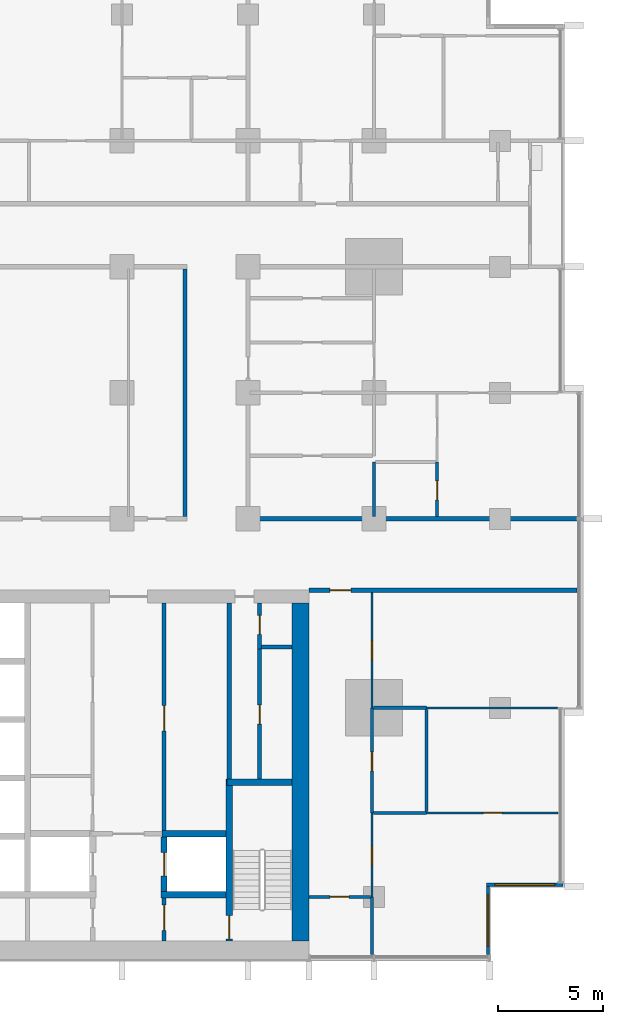
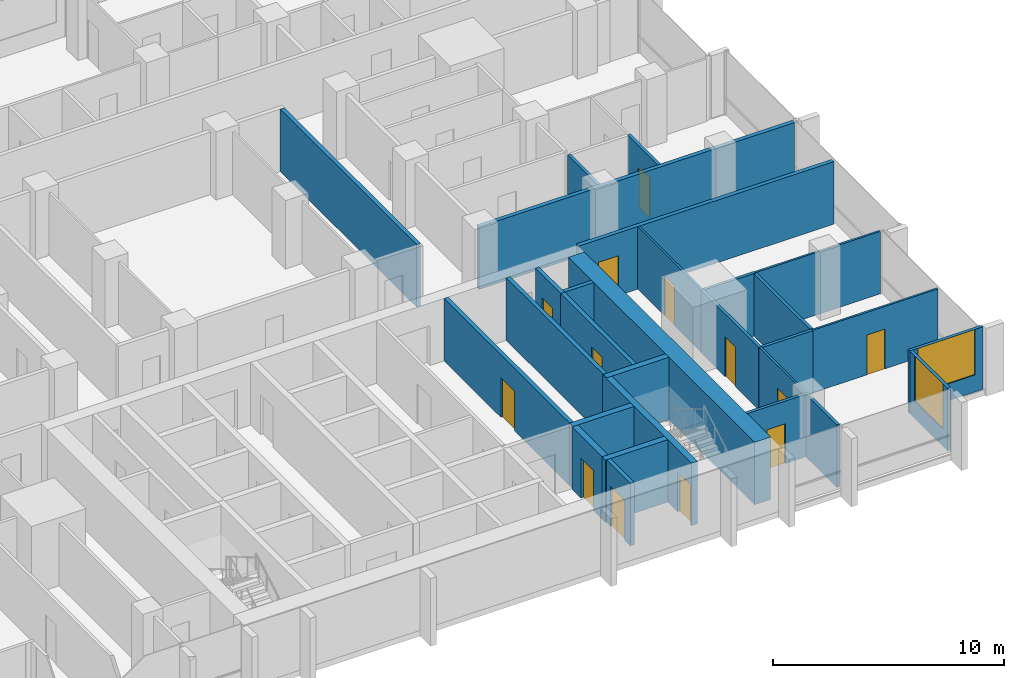
# One storey, part 9 of 17: 29 walls, 13 doors, 2 windows, 15 openings.
"""IFC4 building model written with IfcOpenShell, lengths in metres."""

from ifc_helpers import new_model, si_unit, direction, frame, frame_2d, origin, place, context, subcontext, project, spatial, rectangle, extrude, material, layer, layer_set, type_object, element, fill, save


model = new_model("IFC4")

# Units and contexts
model_context = context("Model", 3, precision=1e-05, world=origin(), true_north=direction((0.0, 1.0)))
body_context = subcontext(model_context, "Body", "Model", "MODEL_VIEW")
ifc_project = project(units=[si_unit("LENGTHUNIT", "METRE"), si_unit("AREAUNIT", "SQUARE_METRE"), si_unit("VOLUMEUNIT", "CUBIC_METRE"), si_unit("PLANEANGLEUNIT", "RADIAN"), si_unit("MASSUNIT", "GRAM", prefix="KILO")], contexts=[model_context])

# Site, building, storey
site_placement = place(None, origin())
site = spatial("IfcSite", under=ifc_project, at=site_placement, CompositionType="ELEMENT")
building_placement = place(site_placement, origin())
building = spatial("IfcBuilding", under=site, at=building_placement, Name="Finial Court Residences", CompositionType="ELEMENT")
storey_placement = place(building_placement, frame((0.0, 0.0, 91.89990234375)))
storey = spatial("IfcBuildingStorey", under=building, at=storey_placement, Name="L22", CompositionType="ELEMENT", Elevation=91.89990234375)

# Wall
ifc_material_1 = material(Name="Concrete C70/85", Category="concrete")
ifc_layer_1 = layer(ifc_material_1, 0.800048828125)
ifc_layer_set_1 = layer_set([ifc_layer_1], Name="Core outer wall 800 Concrete C70/85")
wall_type_1 = type_object("IfcWallType", Name="Core outer wall 800 Concrete C70/85", PredefinedType="SHEAR", material=ifc_layer_set_1)
wall_1_placement = place(storey_placement, frame((13.0, -24.60009765625, 0.0), z_axis=(0.0, 0.0, 1.0), x_axis=(0.0, 1.0, 0.0)))
element("IfcWall", 1, at=wall_1_placement, inside=storey, type_object=wall_type_1, Name="Core outer wall L22-04", PredefinedType="SHEAR", context=body_context, shape_type="SweptSolid", body=[
    extrude(rectangle(XDim=16.10009765625, YDim=0.800048828125, at=frame_2d((8.050048828125, 0.0))), origin(), (0.0, 0.0, 1.0), 3.300048828125),
])

# Wall, opening, door
ifc_material_2 = material(Name="Gypsum board")
ifc_layer_2 = layer(ifc_material_2, 0.02490234375)
ifc_material_3 = material(Name="Acoustic mineral wool in double frame")
ifc_layer_3 = layer(ifc_material_3, 0.14990234375)
ifc_layer_4 = layer(ifc_material_2, 0.02490234375)
ifc_layer_set_2 = layer_set([ifc_layer_2, ifc_layer_3, ifc_layer_4], Name="Corridor wall 200, 1 hour")
wall_type_2 = type_object("IfcWallType", Name="Corridor wall 200, 1 hour", PredefinedType="PARTITIONING", material=ifc_layer_set_2)
wall_2_placement = place(storey_placement, frame((13.39990234375, -7.89990234375, 0.0), z_axis=(0.0, 0.0, 1.0), x_axis=(1.0, 0.0, 0.0)))
wall_2 = element("IfcWall", 2, at=wall_2_placement, inside=storey, type_object=wall_type_2, Name="Partition L22-009", PredefinedType="PARTITIONING", context=body_context, shape_type="SweptSolid", body=[
    extrude(rectangle(XDim=12.75, YDim=0.199951171875, at=frame_2d((6.375, 0.0))), origin(), (0.0, 0.0, 1.0), 3.300048828125),
])
opening_1_placement = place(wall_2_placement, frame((1.0, 0.0, 0.0)))
opening_1 = element("IfcOpeningElement", 3, at=opening_1_placement, cuts=wall_2, Name="Opening L22-D006", PredefinedType="OPENING", context=body_context, shape_type="SweptSolid", body=[
    extrude(rectangle(XDim=1.0, YDim=2.10009765625, at=frame_2d((0.5, 1.050048828125))), frame((0.0, 0.10986328125, 0.0), z_axis=(0.0, -1.0, 0.0), x_axis=(1.0, 0.0, 0.0)), (0.0, 0.0, 1.0), 0.219970703125),
])
ifc_material_4 = material(Name="Timber door leaf in hollow metal frame", Category="wood")
door_type_1 = type_object("IfcDoorType", Name="Fire door set 1000 x 2100, 30 minutes", OperationType="SINGLE_SWING_LEFT", PredefinedType="DOOR", material=ifc_material_4)
door_1_placement = place(opening_1_placement, origin())
door_1 = element("IfcDoor", 4, at=door_1_placement, inside=storey, type_object=door_type_1, Name="Door L22-D006", OperationType="SINGLE_SWING_LEFT", OverallHeight=2.10009765625, OverallWidth=1.0, PredefinedType="DOOR", context=body_context, shape_type="SweptSolid", body=[
    extrude(rectangle(XDim=1.0, YDim=2.10009765625, at=frame_2d((0.5, 1.050048828125))), frame((0.0, 0.02490234375, 0.0), z_axis=(0.0, -1.0, 0.0), x_axis=(1.0, 0.0, 0.0)), (0.0, 0.0, 1.0), 0.050048828125),
])
fill(opening_1, door_1)

# Walls
wall_3_placement = place(storey_placement, frame((10.39990234375, -4.5, 0.0), z_axis=(0.0, 0.0, 1.0), x_axis=(1.0, 0.0, 0.0)))
element("IfcWall", 5, at=wall_3_placement, inside=storey, type_object=wall_type_2, Name="Partition L22-012", PredefinedType="PARTITIONING", context=body_context, shape_type="SweptSolid", body=[
    extrude(rectangle(XDim=15.75, YDim=0.199951171875, at=frame_2d((7.875, 0.0))), origin(), (0.0, 0.0, 1.0), 3.300048828125),
])
wall_4_placement = place(storey_placement, frame((7.5, -4.39990234375, 0.0), z_axis=(0.0, 0.0, 1.0), x_axis=(0.0, 1.0, 0.0)))
element("IfcWall", 6, at=wall_4_placement, inside=storey, type_object=wall_type_2, Name="Partition L22-059", PredefinedType="PARTITIONING", context=body_context, shape_type="SweptSolid", body=[
    extrude(rectangle(XDim=11.7998046875, YDim=0.199951171875, at=frame_2d((5.89990234375, 0.0))), origin(), (0.0, 0.0, 1.0), 3.300048828125),
])

# Wall, opening, door
ifc_material_5 = material(Name="Fire-rated gypsum board partition")
ifc_layer_5 = layer(ifc_material_5, 0.199951171875)
ifc_layer_set_3 = layer_set([ifc_layer_5], Name="Firefighting lobby wall 200 EI 120")
wall_type_3 = type_object("IfcWallType", Name="Firefighting lobby wall 200 EI 120", PredefinedType="PARTITIONING", material=ifc_layer_set_3)
wall_5_placement = place(storey_placement, frame((6.5, -22.550048828125, 0.0), z_axis=(0.0, 0.0, 1.0), x_axis=(0.0, -1.0, 0.0)))
wall_5 = element("IfcWall", 7, at=wall_5_placement, inside=storey, type_object=wall_type_3, Name="Core partition L22-32", PredefinedType="PARTITIONING", context=body_context, shape_type="SweptSolid", body=[
    extrude(rectangle(XDim=2.050048828125, YDim=0.199951171875, at=frame_2d((1.02490234375, 0.0))), origin(), (0.0, 0.0, 1.0), 3.300048828125),
])
opening_2_placement = place(wall_5_placement, frame((0.35009765625, 0.0, 0.0)))
opening_2 = element("IfcOpeningElement", 8, at=opening_2_placement, cuts=wall_5, Name="Opening L22-C01", PredefinedType="OPENING", context=body_context, shape_type="SweptSolid", body=[
    extrude(rectangle(XDim=1.199951171875, YDim=2.10009765625, at=frame_2d((0.60009765625, 1.050048828125))), frame((0.0, 0.10986328125, 0.0), z_axis=(0.0, -1.0, 0.0), x_axis=(1.0, 0.0, 0.0)), (0.0, 0.0, 1.0), 0.219970703125),
])
ifc_material_6 = material(Name="Steel fire door", Category="steel")
door_type_2 = type_object("IfcDoorType", Name="Firefighting lobby door 1200 x 2100 EI 90", OperationType="NOTDEFINED", PredefinedType="DOOR", material=ifc_material_6)
door_2_placement = place(opening_2_placement, origin())
door_2 = element("IfcDoor", 9, at=door_2_placement, inside=storey, type_object=door_type_2, Name="Firefighting lobby door L22-C01", OperationType="SINGLE_SWING_RIGHT", OverallHeight=2.10009765625, OverallWidth=1.199951171875, PredefinedType="DOOR", context=body_context, shape_type="SweptSolid", body=[
    extrude(rectangle(XDim=1.199951171875, YDim=2.10009765625, at=frame_2d((0.60009765625, 1.050048828125))), frame((0.0, 0.02490234375, 0.0), z_axis=(0.0, -1.0, 0.0), x_axis=(1.0, 0.0, 0.0)), (0.0, 0.0, 1.0), 0.050048828125),
])
fill(opening_2, door_2)

ifc_layer_6 = layer(ifc_material_2, 0.012451171875)
ifc_material_7 = material(Name="Mineral wool in light-gauge frame")
ifc_layer_7 = layer(ifc_material_7, 0.074951171875)
ifc_layer_8 = layer(ifc_material_2, 0.012451171875)
ifc_layer_set_4 = layer_set([ifc_layer_6, ifc_layer_7, ifc_layer_8], Name="Gypsum board partition 100")
wall_type_4 = type_object("IfcWallType", Name="Gypsum board partition 100", PredefinedType="PARTITIONING", material=ifc_layer_set_4)
wall_6_placement = place(storey_placement, frame((19.0, -18.5, 0.0), z_axis=(0.0, 0.0, 1.0), x_axis=(1.0, 0.0, 0.0)))
wall_6 = element("IfcWall", 10, at=wall_6_placement, inside=storey, type_object=wall_type_4, Name="Partition L22-002", PredefinedType="PARTITIONING", context=body_context, shape_type="SweptSolid", body=[
    extrude(rectangle(XDim=6.25, YDim=0.10009765625, at=frame_2d((3.125, 0.0))), origin(), (0.0, 0.0, 1.0), 3.300048828125),
])
opening_3_placement = place(wall_6_placement, frame((2.699951171875, 0.0, 0.0)))
opening_3 = element("IfcOpeningElement", 11, at=opening_3_placement, cuts=wall_6, Name="Opening L22-D003", PredefinedType="OPENING", context=body_context, shape_type="SweptSolid", body=[
    extrude(rectangle(XDim=0.89990234375, YDim=2.10009765625, at=frame_2d((0.449951171875, 1.050048828125))), frame((0.0, 0.06005859375, 0.0), z_axis=(0.0, -1.0, 0.0), x_axis=(1.0, 0.0, 0.0)), (0.0, 0.0, 1.0), 0.1201171875),
])
ifc_material_8 = material(Name="Timber door leaf in timber frame", Category="wood")
door_type_3 = type_object("IfcDoorType", Name="Door set 900 x 2100", OperationType="SINGLE_SWING_LEFT", PredefinedType="DOOR", material=ifc_material_8)
door_3_placement = place(opening_3_placement, origin())
door_3 = element("IfcDoor", 12, at=door_3_placement, inside=storey, type_object=door_type_3, Name="Door L22-D003", OperationType="SINGLE_SWING_RIGHT", OverallHeight=2.10009765625, OverallWidth=0.89990234375, PredefinedType="DOOR", context=body_context, shape_type="SweptSolid", body=[
    extrude(rectangle(XDim=0.89990234375, YDim=2.10009765625, at=frame_2d((0.449951171875, 1.050048828125))), frame((0.0, 0.02490234375, 0.0), z_axis=(0.0, -1.0, 0.0), x_axis=(1.0, 0.0, 0.0)), (0.0, 0.0, 1.0), 0.050048828125),
])
fill(opening_3, door_3)

# Wall
wall_7_placement = place(storey_placement, frame((19.0, -13.5, 0.0), z_axis=(0.0, 0.0, 1.0), x_axis=(1.0, 0.0, 0.0)))
element("IfcWall", 13, at=wall_7_placement, inside=storey, type_object=wall_type_4, Name="Partition L22-005", PredefinedType="PARTITIONING", context=body_context, shape_type="SweptSolid", body=[
    extrude(rectangle(XDim=6.25, YDim=0.10009765625, at=frame_2d((3.125, 0.0))), origin(), (0.0, 0.0, 1.0), 3.300048828125),
])

# Wall, opening, door
wall_8_placement = place(storey_placement, frame((16.39990234375, -22.5, 0.0), z_axis=(0.0, 0.0, 1.0), x_axis=(0.0, 1.0, 0.0)))
wall_8 = element("IfcWall", 14, at=wall_8_placement, inside=storey, type_object=wall_type_4, Name="Partition L22-066", PredefinedType="PARTITIONING", context=body_context, shape_type="SweptSolid", body=[
    extrude(rectangle(XDim=4.0, YDim=0.10009765625, at=frame_2d((2.0, 0.0))), origin(), (0.0, 0.0, 1.0), 3.300048828125),
])
opening_4_placement = place(wall_8_placement, frame((1.5, 0.0, 0.0)))
opening_4 = element("IfcOpeningElement", 15, at=opening_4_placement, cuts=wall_8, Name="Opening L22-D044", PredefinedType="OPENING", context=body_context, shape_type="SweptSolid", body=[
    extrude(rectangle(XDim=0.89990234375, YDim=2.10009765625, at=frame_2d((0.449951171875, 1.050048828125))), frame((0.0, 0.06005859375, 0.0), z_axis=(0.0, -1.0, 0.0), x_axis=(1.0, 0.0, 0.0)), (0.0, 0.0, 1.0), 0.1201171875),
])
door_4_placement = place(opening_4_placement, origin())
door_4 = element("IfcDoor", 16, at=door_4_placement, inside=storey, type_object=door_type_3, Name="Door L22-D044", OperationType="SINGLE_SWING_LEFT", OverallHeight=2.10009765625, OverallWidth=0.89990234375, PredefinedType="DOOR", context=body_context, shape_type="SweptSolid", body=[
    extrude(rectangle(XDim=0.89990234375, YDim=2.10009765625, at=frame_2d((0.449951171875, 1.050048828125))), frame((0.0, 0.02490234375, 0.0), z_axis=(0.0, -1.0, 0.0), x_axis=(1.0, 0.0, 0.0)), (0.0, 0.0, 1.0), 0.050048828125),
])
fill(opening_4, door_4)

wall_9_placement = place(storey_placement, frame((16.39990234375, -13.5, 0.0), z_axis=(0.0, 0.0, 1.0), x_axis=(0.0, 1.0, 0.0)))
wall_9 = element("IfcWall", 17, at=wall_9_placement, inside=storey, type_object=wall_type_4, Name="Partition L22-067", PredefinedType="PARTITIONING", context=body_context, shape_type="SweptSolid", body=[
    extrude(rectangle(XDim=5.5, YDim=0.10009765625, at=frame_2d((2.75, 0.0))), origin(), (0.0, 0.0, 1.0), 3.300048828125),
])
opening_5_placement = place(wall_9_placement, frame((2.300048828125, 0.0, 0.0)))
opening_5 = element("IfcOpeningElement", 18, at=opening_5_placement, cuts=wall_9, Name="Opening L22-D045", PredefinedType="OPENING", context=body_context, shape_type="SweptSolid", body=[
    extrude(rectangle(XDim=0.89990234375, YDim=2.10009765625, at=frame_2d((0.449951171875, 1.050048828125))), frame((0.0, 0.06005859375, 0.0), z_axis=(0.0, -1.0, 0.0), x_axis=(1.0, 0.0, 0.0)), (0.0, 0.0, 1.0), 0.1201171875),
])
door_5_placement = place(opening_5_placement, origin())
door_5 = element("IfcDoor", 19, at=door_5_placement, inside=storey, type_object=door_type_3, Name="Door L22-D045", OperationType="SINGLE_SWING_RIGHT", OverallHeight=2.10009765625, OverallWidth=0.89990234375, PredefinedType="DOOR", context=body_context, shape_type="SweptSolid", body=[
    extrude(rectangle(XDim=0.89990234375, YDim=2.10009765625, at=frame_2d((0.449951171875, 1.050048828125))), frame((0.0, 0.02490234375, 0.0), z_axis=(0.0, -1.0, 0.0), x_axis=(1.0, 0.0, 0.0)), (0.0, 0.0, 1.0), 0.050048828125),
])
fill(opening_5, door_5)

ifc_material_9 = material(Name="Moisture-resistant gypsum board")
ifc_layer_9 = layer(ifc_material_9, 0.012451171875)
ifc_layer_10 = layer(ifc_material_7, 0.125)
ifc_layer_11 = layer(ifc_material_9, 0.012451171875)
ifc_layer_set_5 = layer_set([ifc_layer_9, ifc_layer_10, ifc_layer_11], Name="Gypsum board wet-area partition 150")
wall_type_5 = type_object("IfcWallType", Name="Gypsum board wet-area partition 150", PredefinedType="PARTITIONING", material=ifc_layer_set_5)
wall_10_placement = place(storey_placement, frame((13.39990234375, -22.5, 0.0), z_axis=(0.0, 0.0, 1.0), x_axis=(1.0, 0.0, 0.0)))
wall_10 = element("IfcWall", 20, at=wall_10_placement, inside=storey, type_object=wall_type_5, Name="Partition L22-001", PredefinedType="PARTITIONING", context=body_context, shape_type="SweptSolid", body=[
    extrude(rectangle(XDim=2.925048828125, YDim=0.14990234375, at=frame_2d((1.46240234375, 0.0))), origin(), (0.0, 0.0, 1.0), 3.300048828125),
])
opening_6_placement = place(wall_10_placement, frame((1.0, 0.0, 0.0)))
opening_6 = element("IfcOpeningElement", 21, at=opening_6_placement, cuts=wall_10, Name="Opening L22-D002", PredefinedType="OPENING", context=body_context, shape_type="SweptSolid", body=[
    extrude(rectangle(XDim=0.89990234375, YDim=2.10009765625, at=frame_2d((0.449951171875, 1.050048828125))), frame((0.0, 0.0849609375, 0.0), z_axis=(0.0, -1.0, 0.0), x_axis=(1.0, 0.0, 0.0)), (0.0, 0.0, 1.0), 0.169921875),
])
door_6_placement = place(opening_6_placement, origin())
door_6 = element("IfcDoor", 22, at=door_6_placement, inside=storey, type_object=door_type_3, Name="Door L22-D002", OperationType="SINGLE_SWING_RIGHT", OverallHeight=2.10009765625, OverallWidth=0.89990234375, PredefinedType="DOOR", context=body_context, shape_type="SweptSolid", body=[
    extrude(rectangle(XDim=0.89990234375, YDim=2.10009765625, at=frame_2d((0.449951171875, 1.050048828125))), frame((0.0, 0.02490234375, 0.0), z_axis=(0.0, -1.0, 0.0), x_axis=(1.0, 0.0, 0.0)), (0.0, 0.0, 1.0), 0.050048828125),
])
fill(opening_6, door_6)

# Walls
for number, where, z_axis, x_axis, name in (
    (23, (16.47509765625, -18.5, 0.0), (0.0, 0.0, 1.0), (1.0, 0.0, 0.0), "Partition L22-003"),
    (24, (16.47509765625, -13.5, 0.0), (0.0, 0.0, 1.0), (1.0, 0.0, 0.0), "Partition L22-007"),
):
    element("IfcWall", number, at=place(storey_placement, frame(where, z_axis=z_axis, x_axis=x_axis)), inside=storey, type_object=wall_type_5, Name=name, PredefinedType="PARTITIONING", context=body_context, shape_type="SweptSolid", body=[
        extrude(rectangle(XDim=2.52490234375, YDim=0.14990234375, at=frame_2d((1.262451171875, 0.0))), origin(), (0.0, 0.0, 1.0), 3.300048828125),
    ])
wall_11_placement = place(storey_placement, frame((16.39990234375, -25.25, 0.0), z_axis=(0.0, 0.0, 1.0), x_axis=(0.0, 1.0, 0.0)))
element("IfcWall", 25, at=wall_11_placement, inside=storey, type_object=wall_type_5, Name="Partition L22-068", PredefinedType="PARTITIONING", context=body_context, shape_type="SweptSolid", body=[
    extrude(rectangle(XDim=2.75, YDim=0.14990234375, at=frame_2d((1.375, 0.0))), origin(), (0.0, 0.0, 1.0), 3.300048828125),
])

# Wall, opening, door
wall_12_placement = place(storey_placement, frame((16.39990234375, -18.5, 0.0), z_axis=(0.0, 0.0, 1.0), x_axis=(0.0, 1.0, 0.0)))
wall_12 = element("IfcWall", 26, at=wall_12_placement, inside=storey, type_object=wall_type_5, Name="Partition L22-069", PredefinedType="PARTITIONING", context=body_context, shape_type="SweptSolid", body=[
    extrude(rectangle(XDim=5.0, YDim=0.14990234375, at=frame_2d((2.5, 0.0))), origin(), (0.0, 0.0, 1.0), 3.300048828125),
])
opening_7_placement = place(wall_12_placement, frame((2.0, 0.0, 0.0)))
opening_7 = element("IfcOpeningElement", 27, at=opening_7_placement, cuts=wall_12, Name="Opening L22-D046", PredefinedType="OPENING", context=body_context, shape_type="SweptSolid", body=[
    extrude(rectangle(XDim=0.89990234375, YDim=2.10009765625, at=frame_2d((0.449951171875, 1.050048828125))), frame((0.0, 0.0849609375, 0.0), z_axis=(0.0, -1.0, 0.0), x_axis=(1.0, 0.0, 0.0)), (0.0, 0.0, 1.0), 0.169921875),
])
door_7_placement = place(opening_7_placement, origin())
door_7 = element("IfcDoor", 28, at=door_7_placement, inside=storey, type_object=door_type_3, Name="Door L22-D046", OperationType="SINGLE_SWING_RIGHT", OverallHeight=2.10009765625, OverallWidth=0.89990234375, PredefinedType="DOOR", context=body_context, shape_type="SweptSolid", body=[
    extrude(rectangle(XDim=0.89990234375, YDim=2.10009765625, at=frame_2d((0.449951171875, 1.050048828125))), frame((0.0, 0.02490234375, 0.0), z_axis=(0.0, -1.0, 0.0), x_axis=(1.0, 0.0, 0.0)), (0.0, 0.0, 1.0), 0.050048828125),
])
fill(opening_7, door_7)

# Walls
wall_13_placement = place(storey_placement, frame((16.5, -4.39990234375, 0.0), z_axis=(0.0, 0.0, 1.0), x_axis=(0.0, 1.0, 0.0)))
element("IfcWall", 29, at=wall_13_placement, inside=storey, type_object=wall_type_5, Name="Partition L22-072", PredefinedType="PARTITIONING", context=body_context, shape_type="SweptSolid", body=[
    extrude(rectangle(XDim=2.599853515625, YDim=0.14990234375, at=frame_2d((1.2998046875, 0.0))), origin(), (0.0, 0.0, 1.0), 3.300048828125),
])
wall_14_placement = place(storey_placement, frame((19.0, -18.425048828125, 0.0), z_axis=(0.0, 0.0, 1.0), x_axis=(0.0, 1.0, 0.0)))
element("IfcWall", 30, at=wall_14_placement, inside=storey, type_object=wall_type_5, Name="Partition L22-076", PredefinedType="PARTITIONING", context=body_context, shape_type="SweptSolid", body=[
    extrude(rectangle(XDim=4.85009765625, YDim=0.14990234375, at=frame_2d((2.425048828125, 0.0))), origin(), (0.0, 0.0, 1.0), 3.300048828125),
])

# Wall, opening, door
wall_15_placement = place(storey_placement, frame((19.5, -4.39990234375, 0.0), z_axis=(0.0, 0.0, 1.0), x_axis=(0.0, 1.0, 0.0)))
wall_15 = element("IfcWall", 31, at=wall_15_placement, inside=storey, type_object=wall_type_5, Name="Partition L22-078", PredefinedType="PARTITIONING", context=body_context, shape_type="SweptSolid", body=[
    extrude(rectangle(XDim=2.599853515625, YDim=0.14990234375, at=frame_2d((1.2998046875, 0.0))), origin(), (0.0, 0.0, 1.0), 3.300048828125),
])
opening_8_placement = place(wall_15_placement, frame((0.800048828125, 0.0, 0.0)))
opening_8 = element("IfcOpeningElement", 32, at=opening_8_placement, cuts=wall_15, Name="Opening L22-D050", PredefinedType="OPENING", context=body_context, shape_type="SweptSolid", body=[
    extrude(rectangle(XDim=0.89990234375, YDim=2.10009765625, at=frame_2d((0.449951171875, 1.050048828125))), frame((0.0, 0.0849609375, 0.0), z_axis=(0.0, -1.0, 0.0), x_axis=(1.0, 0.0, 0.0)), (0.0, 0.0, 1.0), 0.169921875),
])
door_8_placement = place(opening_8_placement, origin())
door_8 = element("IfcDoor", 33, at=door_8_placement, inside=storey, type_object=door_type_3, Name="Door L22-D050", OperationType="SINGLE_SWING_LEFT", OverallHeight=2.10009765625, OverallWidth=0.89990234375, PredefinedType="DOOR", context=body_context, shape_type="SweptSolid", body=[
    extrude(rectangle(XDim=0.89990234375, YDim=2.10009765625, at=frame_2d((0.449951171875, 1.050048828125))), frame((0.0, 0.02490234375, 0.0), z_axis=(0.0, -1.0, 0.0), x_axis=(1.0, 0.0, 0.0)), (0.0, 0.0, 1.0), 0.050048828125),
])
fill(opening_8, door_8)

# Walls
ifc_layer_12 = layer(ifc_material_1, 0.300048828125)
ifc_layer_set_6 = layer_set([ifc_layer_12], Name="Lift shaft and stair wall 300 Concrete C70/85")
wall_type_6 = type_object("IfcWallType", Name="Lift shaft and stair wall 300 Concrete C70/85", PredefinedType="SHEAR", material=ifc_layer_set_6)
wall_16_placement = place(storey_placement, frame((6.35009765625, -22.39990234375, 0.0), z_axis=(0.0, 0.0, 1.0), x_axis=(1.0, 0.0, 0.0)))
element("IfcWall", 34, at=wall_16_placement, inside=storey, type_object=wall_type_6, Name="Core wall L22-04", PredefinedType="SHEAR", context=body_context, shape_type="SweptSolid", body=[
    extrude(rectangle(XDim=3.099853515625, YDim=0.300048828125, at=frame_2d((1.5498046875, 0.0))), origin(), (0.0, 0.0, 1.0), 3.300048828125),
])
wall_17_placement = place(storey_placement, frame((6.39990234375, -19.5, 0.0), z_axis=(0.0, 0.0, 1.0), x_axis=(1.0, 0.0, 0.0)))
element("IfcWall", 35, at=wall_17_placement, inside=storey, type_object=wall_type_6, Name="Core wall L22-09", PredefinedType="SHEAR", context=body_context, shape_type="SweptSolid", body=[
    extrude(rectangle(XDim=3.050048828125, YDim=0.300048828125, at=frame_2d((1.52490234375, 0.0))), origin(), (0.0, 0.0, 1.0), 3.300048828125),
])
wall_18_placement = place(storey_placement, frame((9.5, -17.050048828125, 0.0), z_axis=(0.0, 0.0, 1.0), x_axis=(1.0, 0.0, 0.0)))
element("IfcWall", 36, at=wall_18_placement, inside=storey, type_object=wall_type_6, Name="Core wall L22-11", PredefinedType="SHEAR", context=body_context, shape_type="SweptSolid", body=[
    extrude(rectangle(XDim=3.10009765625, YDim=0.300048828125, at=frame_2d((1.550048828125, 0.0))), origin(), (0.0, 0.0, 1.0), 3.300048828125),
])

# Wall, opening, door
wall_19_placement = place(storey_placement, frame((6.5, -22.25, 0.0), z_axis=(0.0, 0.0, 1.0), x_axis=(0.0, 1.0, 0.0)))
wall_19 = element("IfcWall", 37, at=wall_19_placement, inside=storey, type_object=wall_type_6, Name="Core wall L22-33", PredefinedType="SHEAR", context=body_context, shape_type="SweptSolid", body=[
    extrude(rectangle(XDim=2.60009765625, YDim=0.300048828125, at=frame_2d((1.300048828125, 0.0))), origin(), (0.0, 0.0, 1.0), 3.300048828125),
])
opening_9_placement = place(wall_19_placement, frame((0.75, 0.0, 0.0)))
opening_9 = element("IfcOpeningElement", 38, at=opening_9_placement, cuts=wall_19, Name="Opening L22-LD02", PredefinedType="OPENING", context=body_context, shape_type="SweptSolid", body=[
    extrude(rectangle(XDim=1.10009765625, YDim=2.10009765625, at=frame_2d((0.550048828125, 1.050048828125))), frame((0.0, 0.159912109375, 0.0), z_axis=(0.0, -1.0, 0.0), x_axis=(1.0, 0.0, 0.0)), (0.0, 0.0, 1.0), 0.320068359375),
])
ifc_material_10 = material(Name="Stainless steel lift door", Category="steel")
door_type_4 = type_object("IfcDoorType", Name="Lift landing door 1100 x 2100 EI 90", OperationType="DOUBLE_DOOR_SLIDING", PredefinedType="DOOR", material=ifc_material_10)
door_9_placement = place(opening_9_placement, origin())
door_9 = element("IfcDoor", 39, at=door_9_placement, inside=storey, type_object=door_type_4, Name="Lift landing door FF2 L22", OperationType="DOUBLE_DOOR_SLIDING", OverallHeight=2.10009765625, OverallWidth=1.10009765625, PredefinedType="DOOR", context=body_context, shape_type="SweptSolid", body=[
    extrude(rectangle(XDim=1.10009765625, YDim=2.10009765625, at=frame_2d((0.550048828125, 1.050048828125))), frame((0.0, 0.02490234375, 0.0), z_axis=(0.0, -1.0, 0.0), x_axis=(1.0, 0.0, 0.0)), (0.0, 0.0, 1.0), 0.050048828125),
])
fill(opening_9, door_9)

wall_20_placement = place(storey_placement, frame((9.60009765625, -16.89990234375, 0.0), z_axis=(0.0, 0.0, 1.0), x_axis=(0.0, -1.0, 0.0)))
wall_20 = element("IfcWall", 40, at=wall_20_placement, inside=storey, type_object=wall_type_6, Name="Core wall L22-35", PredefinedType="SHEAR", context=body_context, shape_type="SweptSolid", body=[
    extrude(rectangle(XDim=7.7001953125, YDim=0.300048828125, at=frame_2d((3.85009765625, 0.0))), origin(), (0.0, 0.0, 1.0), 3.300048828125),
])
opening_10_placement = place(wall_20_placement, frame((6.5, 0.0, 0.0)))
opening_10 = element("IfcOpeningElement", 41, at=opening_10_placement, cuts=wall_20, Name="Opening L22-C17", PredefinedType="OPENING", context=body_context, shape_type="SweptSolid", body=[
    extrude(rectangle(XDim=1.10009765625, YDim=2.10009765625, at=frame_2d((0.550048828125, 1.050048828125))), frame((0.0, 0.159912109375, 0.0), z_axis=(0.0, -1.0, 0.0), x_axis=(1.0, 0.0, 0.0)), (0.0, 0.0, 1.0), 0.320068359375),
])
door_type_5 = type_object("IfcDoorType", Name="Stair door 1100 x 2100 EI 90", OperationType="NOTDEFINED", PredefinedType="DOOR", material=ifc_material_6)
door_10_placement = place(opening_10_placement, origin())
door_10 = element("IfcDoor", 42, at=door_10_placement, inside=storey, type_object=door_type_5, Name="Stair door L22-C17", OperationType="SINGLE_SWING_RIGHT", OverallHeight=2.10009765625, OverallWidth=1.10009765625, PredefinedType="DOOR", context=body_context, shape_type="SweptSolid", body=[
    extrude(rectangle(XDim=1.10009765625, YDim=2.10009765625, at=frame_2d((0.550048828125, 1.050048828125))), frame((0.0, 0.02490234375, 0.0), z_axis=(0.0, -1.0, 0.0), x_axis=(1.0, 0.0, 0.0)), (0.0, 0.0, 1.0), 0.050048828125),
])
fill(opening_10, door_10)

# Wall, opening, window
ifc_material_11 = material(Name="Natural limestone", Category="masonry")
ifc_layer_13 = layer(ifc_material_11, 0.14990234375)
ifc_layer_set_7 = layer_set([ifc_layer_13], Name="Limestone clad wall 150")
wall_type_7 = type_object("IfcWallType", Name="Limestone clad wall 150", PredefinedType="SOLIDWALL", material=ifc_layer_set_7)
wall_21_placement = place(storey_placement, frame((21.925048828125, -22.0, 0.0), z_axis=(0.0, 0.0, 1.0), x_axis=(0.0, -1.0, 0.0)))
wall_21 = element("IfcWall", 43, at=wall_21_placement, inside=storey, type_object=wall_type_7, Name="E-L22-NWE18", PredefinedType="SOLIDWALL", context=body_context, shape_type="SweptSolid", body=[
    extrude(rectangle(XDim=3.25, YDim=0.14990234375, at=frame_2d((1.625, 0.0))), origin(), (0.0, 0.0, 1.0), 3.300048828125),
])
opening_11_placement = place(wall_21_placement, frame((0.39990234375, 0.0, 0.89990234375)))
opening_11 = element("IfcOpeningElement", 44, at=opening_11_placement, cuts=wall_21, Name="Opening WE22-03", PredefinedType="OPENING", context=body_context, shape_type="SweptSolid", body=[
    extrude(rectangle(XDim=2.449951171875, YDim=2.39990234375, at=frame_2d((1.22509765625, 1.199951171875))), frame((0.0, 0.0849609375, 0.0), z_axis=(0.0, -1.0, 0.0), x_axis=(1.0, 0.0, 0.0)), (0.0, 0.0, 1.0), 0.169921875),
])
ifc_material_12 = material(Name="Clear low-e glass", Category="glass")
window_type_1 = type_object("IfcWindowType", Name="Corner window 2450 x 2400", PartitioningType="SINGLE_PANEL", PredefinedType="WINDOW", material=ifc_material_12)
window_1_placement = place(opening_11_placement, origin())
window_1 = element("IfcWindow", 45, at=window_1_placement, inside=storey, type_object=window_type_1, Name="E-L22-NWE18-W1", OverallHeight=2.39990234375, OverallWidth=2.449951171875, PartitioningType="SINGLE_PANEL", PredefinedType="WINDOW", context=body_context, shape_type="SweptSolid", body=[
    extrude(rectangle(XDim=2.449951171875, YDim=2.39990234375, at=frame_2d((1.22509765625, 1.199951171875))), frame((0.0, 0.030029296875, 0.0), z_axis=(0.0, -1.0, 0.0), x_axis=(1.0, 0.0, 0.0)), (0.0, 0.0, 1.0), 0.06005859375),
])
fill(opening_11, window_1)

wall_22_placement = place(storey_placement, frame((25.5, -21.925048828125, 0.0), z_axis=(0.0, 0.0, 1.0), x_axis=(-1.0, 0.0, 0.0)))
wall_22 = element("IfcWall", 46, at=wall_22_placement, inside=storey, type_object=wall_type_7, Name="E-L22-NWS19", PredefinedType="SOLIDWALL", context=body_context, shape_type="SweptSolid", body=[
    extrude(rectangle(XDim=3.64990234375, YDim=0.14990234375, at=frame_2d((1.824951171875, 0.0))), origin(), (0.0, 0.0, 1.0), 3.300048828125),
])
opening_12_placement = place(wall_22_placement, frame((0.39990234375, 0.0, 0.89990234375)))
opening_12 = element("IfcOpeningElement", 47, at=opening_12_placement, cuts=wall_22, Name="Opening WE22-04", PredefinedType="OPENING", context=body_context, shape_type="SweptSolid", body=[
    extrude(rectangle(XDim=2.85009765625, YDim=2.39990234375, at=frame_2d((1.425048828125, 1.199951171875))), frame((0.0, 0.0849609375, 0.0), z_axis=(0.0, -1.0, 0.0), x_axis=(1.0, 0.0, 0.0)), (0.0, 0.0, 1.0), 0.169921875),
])
window_type_2 = type_object("IfcWindowType", Name="Corner window 2850 x 2400", PartitioningType="SINGLE_PANEL", PredefinedType="WINDOW", material=ifc_material_12)
window_2_placement = place(opening_12_placement, origin())
window_2 = element("IfcWindow", 48, at=window_2_placement, inside=storey, type_object=window_type_2, Name="E-L22-NWS19-W1", OverallHeight=2.39990234375, OverallWidth=2.85009765625, PartitioningType="SINGLE_PANEL", PredefinedType="WINDOW", context=body_context, shape_type="SweptSolid", body=[
    extrude(rectangle(XDim=2.85009765625, YDim=2.39990234375, at=frame_2d((1.425048828125, 1.199951171875))), frame((0.0, 0.030029296875, 0.0), z_axis=(0.0, -1.0, 0.0), x_axis=(1.0, 0.0, 0.0)), (0.0, 0.0, 1.0), 0.06005859375),
])
fill(opening_12, window_2)

# Wall
ifc_layer_14 = layer(ifc_material_5, 0.199951171875)
ifc_layer_set_8 = layer_set([ifc_layer_14], Name="Riser room wall 200 EI 120")
wall_type_8 = type_object("IfcWallType", Name="Riser room wall 200 EI 120", PredefinedType="PARTITIONING", material=ifc_layer_set_8)
wall_23_placement = place(storey_placement, frame((11.14990234375, -10.60009765625, 0.0), z_axis=(0.0, 0.0, 1.0), x_axis=(1.0, 0.0, 0.0)))
element("IfcWall", 49, at=wall_23_placement, inside=storey, type_object=wall_type_8, Name="Core partition L22-20", PredefinedType="PARTITIONING", context=body_context, shape_type="SweptSolid", body=[
    extrude(rectangle(XDim=1.4501953125, YDim=0.199951171875, at=frame_2d((0.72509765625, 0.0))), origin(), (0.0, 0.0, 1.0), 3.300048828125),
])

# Wall, opening, door
wall_24_placement = place(storey_placement, frame((6.5, -8.5, 0.0), z_axis=(0.0, 0.0, 1.0), x_axis=(0.0, -1.0, 0.0)))
wall_24 = element("IfcWall", 50, at=wall_24_placement, inside=storey, type_object=wall_type_8, Name="Core partition L22-34", PredefinedType="PARTITIONING", context=body_context, shape_type="SweptSolid", body=[
    extrude(rectangle(XDim=10.85009765625, YDim=0.199951171875, at=frame_2d((5.425048828125, 0.0))), origin(), (0.0, 0.0, 1.0), 3.300048828125),
])
opening_13_placement = place(wall_24_placement, frame((4.89990234375, 0.0, 0.0)))
opening_13 = element("IfcOpeningElement", 51, at=opening_13_placement, cuts=wall_24, Name="Opening L22-C09", PredefinedType="OPENING", context=body_context, shape_type="SweptSolid", body=[
    extrude(rectangle(XDim=1.199951171875, YDim=2.10009765625, at=frame_2d((0.60009765625, 1.050048828125))), frame((0.0, 0.10986328125, 0.0), z_axis=(0.0, -1.0, 0.0), x_axis=(1.0, 0.0, 0.0)), (0.0, 0.0, 1.0), 0.219970703125),
])
door_type_6 = type_object("IfcDoorType", Name="Riser room door 1200 x 2100 EI 90", OperationType="NOTDEFINED", PredefinedType="DOOR", material=ifc_material_6)
door_11_placement = place(opening_13_placement, origin())
door_11 = element("IfcDoor", 52, at=door_11_placement, inside=storey, type_object=door_type_6, Name="Riser room door L22-C09", OperationType="SINGLE_SWING_RIGHT", OverallHeight=2.10009765625, OverallWidth=1.199951171875, PredefinedType="DOOR", context=body_context, shape_type="SweptSolid", body=[
    extrude(rectangle(XDim=1.199951171875, YDim=2.10009765625, at=frame_2d((0.60009765625, 1.050048828125))), frame((0.0, 0.02490234375, 0.0), z_axis=(0.0, -1.0, 0.0), x_axis=(1.0, 0.0, 0.0)), (0.0, 0.0, 1.0), 0.050048828125),
])
fill(opening_13, door_11)

# Wall
wall_25_placement = place(storey_placement, frame((9.60009765625, -16.89990234375, 0.0), z_axis=(0.0, 0.0, 1.0), x_axis=(0.0, 1.0, 0.0)))
element("IfcWall", 53, at=wall_25_placement, inside=storey, type_object=wall_type_8, Name="Core partition L22-36", PredefinedType="PARTITIONING", context=body_context, shape_type="SweptSolid", body=[
    extrude(rectangle(XDim=8.39990234375, YDim=0.199951171875, at=frame_2d((4.199951171875, 0.0))), origin(), (0.0, 0.0, 1.0), 3.300048828125),
])

# Wall, opening, door
wall_26_placement = place(storey_placement, frame((11.050048828125, -8.5, 0.0), z_axis=(0.0, 0.0, 1.0), x_axis=(0.0, -1.0, 0.0)))
wall_26 = element("IfcWall", 54, at=wall_26_placement, inside=storey, type_object=wall_type_8, Name="Core partition L22-38", PredefinedType="PARTITIONING", context=body_context, shape_type="SweptSolid", body=[
    extrude(rectangle(XDim=2.199951171875, YDim=0.199951171875, at=frame_2d((1.10009765625, 0.0))), origin(), (0.0, 0.0, 1.0), 3.300048828125),
])
opening_14_placement = place(wall_26_placement, frame((0.60009765625, 0.0, 0.0)))
opening_14 = element("IfcOpeningElement", 55, at=opening_14_placement, cuts=wall_26, Name="Opening L22-C08", PredefinedType="OPENING", context=body_context, shape_type="SweptSolid", body=[
    extrude(rectangle(XDim=0.89990234375, YDim=2.10009765625, at=frame_2d((0.449951171875, 1.050048828125))), frame((0.0, 0.10986328125, 0.0), z_axis=(0.0, -1.0, 0.0), x_axis=(1.0, 0.0, 0.0)), (0.0, 0.0, 1.0), 0.219970703125),
])
door_type_7 = type_object("IfcDoorType", Name="Riser room door 900 x 2100 EI 90", OperationType="NOTDEFINED", PredefinedType="DOOR", material=ifc_material_6)
door_12_placement = place(opening_14_placement, origin())
door_12 = element("IfcDoor", 56, at=door_12_placement, inside=storey, type_object=door_type_7, Name="Riser room door L22-C08", OperationType="SINGLE_SWING_RIGHT", OverallHeight=2.10009765625, OverallWidth=0.89990234375, PredefinedType="DOOR", context=body_context, shape_type="SweptSolid", body=[
    extrude(rectangle(XDim=0.89990234375, YDim=2.10009765625, at=frame_2d((0.449951171875, 1.050048828125))), frame((0.0, 0.02490234375, 0.0), z_axis=(0.0, -1.0, 0.0), x_axis=(1.0, 0.0, 0.0)), (0.0, 0.0, 1.0), 0.050048828125),
])
fill(opening_14, door_12)

ifc_layer_15 = layer(ifc_material_5, 0.199951171875)
ifc_layer_set_9 = layer_set([ifc_layer_15], Name="Stair passage wall 200 EI 180")
wall_type_9 = type_object("IfcWallType", Name="Stair passage wall 200 EI 180", PredefinedType="PARTITIONING", material=ifc_layer_set_9)
wall_27_placement = place(storey_placement, frame((11.050048828125, -10.5, 0.0), z_axis=(0.0, 0.0, 1.0), x_axis=(0.0, -1.0, 0.0)))
wall_27 = element("IfcWall", 57, at=wall_27_placement, inside=storey, type_object=wall_type_9, Name="Core partition L22-37", PredefinedType="PARTITIONING", context=body_context, shape_type="SweptSolid", body=[
    extrude(rectangle(XDim=6.39990234375, YDim=0.199951171875, at=frame_2d((3.199951171875, 0.0))), origin(), (0.0, 0.0, 1.0), 3.300048828125),
])
opening_15_placement = place(wall_27_placement, frame((2.875, 0.0, 0.0)))
opening_15 = element("IfcOpeningElement", 58, at=opening_15_placement, cuts=wall_27, Name="Opening L22-C13", PredefinedType="OPENING", context=body_context, shape_type="SweptSolid", body=[
    extrude(rectangle(XDim=0.89990234375, YDim=2.10009765625, at=frame_2d((0.449951171875, 1.050048828125))), frame((0.0, 0.10986328125, 0.0), z_axis=(0.0, -1.0, 0.0), x_axis=(1.0, 0.0, 0.0)), (0.0, 0.0, 1.0), 0.219970703125),
])
door_type_8 = type_object("IfcDoorType", Name="Core room door 900 x 2100 EI 60", OperationType="NOTDEFINED", PredefinedType="DOOR", material=ifc_material_6)
door_13_placement = place(opening_15_placement, origin())
door_13 = element("IfcDoor", 59, at=door_13_placement, inside=storey, type_object=door_type_8, Name="Core room door L22-C13", OperationType="SINGLE_SWING_LEFT", OverallHeight=2.10009765625, OverallWidth=0.89990234375, PredefinedType="DOOR", context=body_context, shape_type="SweptSolid", body=[
    extrude(rectangle(XDim=0.89990234375, YDim=2.10009765625, at=frame_2d((0.449951171875, 1.050048828125))), frame((0.0, 0.02490234375, 0.0), z_axis=(0.0, -1.0, 0.0), x_axis=(1.0, 0.0, 0.0)), (0.0, 0.0, 1.0), 0.050048828125),
])
fill(opening_15, door_13)

save(model, "model.ifc")
